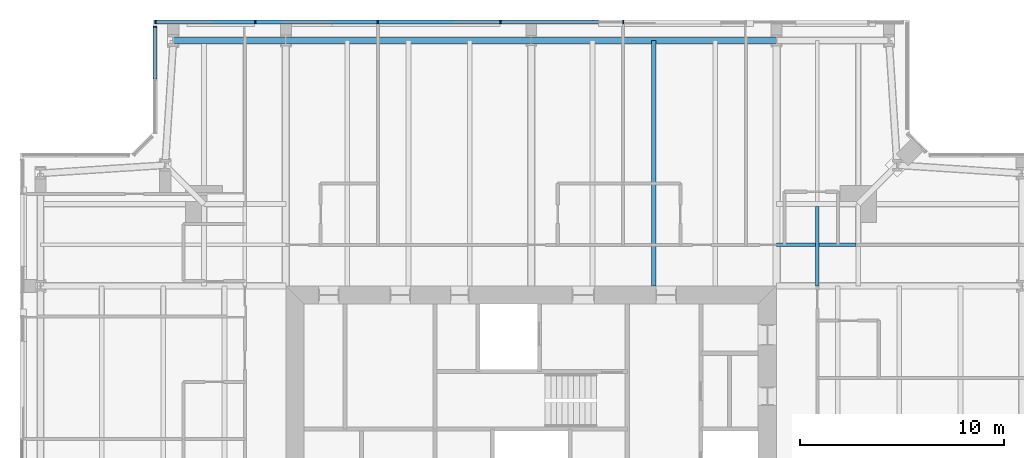
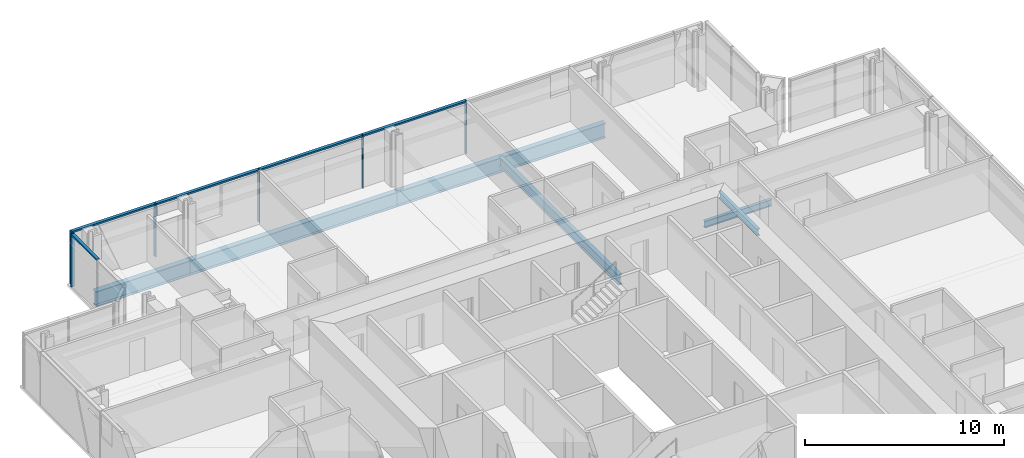
# One storey, part 8 of 19: 11 members, 7 beams, 2 elements without a shape of their own.
"""IFC4 building model written with IfcOpenShell, lengths in metres."""

from ifc_helpers import new_model, si_unit, direction, frame, origin, origin_2d, place, context, subcontext, project, spatial, rectangle, i_section, extrude, material, material_profile, profile_set, type_object, element, aggregate, save


model = new_model("IFC4")

# Units and contexts
model_context = context("Model", 3, precision=1e-05, world=origin(), true_north=direction((0.0, 1.0)))
body_context = subcontext(model_context, "Body", "Model", "MODEL_VIEW")
ifc_project = project(units=[si_unit("LENGTHUNIT", "METRE"), si_unit("AREAUNIT", "SQUARE_METRE"), si_unit("VOLUMEUNIT", "CUBIC_METRE"), si_unit("PLANEANGLEUNIT", "RADIAN"), si_unit("MASSUNIT", "GRAM", prefix="KILO")], contexts=[model_context])

# Site, building, storey
site_placement = place(None, origin())
site = spatial("IfcSite", under=ifc_project, at=site_placement, CompositionType="ELEMENT")
building_placement = place(site_placement, origin())
building = spatial("IfcBuilding", under=site, at=building_placement, Name="Fenwick Lantern Interchange", CompositionType="ELEMENT")
storey_placement = place(building_placement, frame((0.0, 0.0, 273.0)))
storey = spatial("IfcBuildingStorey", under=building, at=storey_placement, Name="L65", CompositionType="ELEMENT", Elevation=273.0)

# Beams
ifc_material_1 = material(Name="Steel ASTM A992 Grade 50", Category="steel")
ifc_material_profile_1 = material_profile(ifc_material_1, i_section(OverallWidth=0.3046875, OverallDepth=0.911865234375, WebThickness=0.015869140625, FlangeThickness=0.02392578125, at=origin_2d()), Name="W36X150")
ifc_profile_set_1 = profile_set([ifc_material_profile_1], Name="Steel ASTM A992 Grade 50")
beam_type_1 = type_object("IfcBeamType", Name="EDGE BEAM W36X150", PredefinedType="SPANDREL", material=ifc_profile_set_1)
for number, where, z_axis, x_axis, name in (
    (1, (37.0, 49.0, -0.60595703125), (-1.0, 0.0, 0.0), (0.0, -1.0, 0.0), "L65/FR/N/EB2"),
    (2, (25.0, 49.0, -0.60595703125), (-1.0, 0.0, 0.0), (0.0, -1.0, 0.0), "L65/FR/N/EB3"),
):
    element("IfcBeam", number, at=place(storey_placement, frame(where, z_axis=z_axis, x_axis=x_axis)), inside=storey, type_object=beam_type_1, Name=name, PredefinedType="SPANDREL", context=body_context, shape_type="SweptSolid", body=[
        extrude(i_section(OverallWidth=0.3046875, OverallDepth=0.911865234375, WebThickness=0.015869140625, FlangeThickness=0.02392578125, at=origin_2d()), origin(), (0.0, 0.0, 1.0), 12.0),
    ])
beam_1_placement = place(storey_placement, frame((13.0, 49.0, -0.60595703125), z_axis=(-1.0, 0.0, 0.0), x_axis=(0.0, -1.0, 0.0)))
element("IfcBeam", 3, at=beam_1_placement, inside=storey, type_object=beam_type_1, Name="L65/FR/N/EB4", PredefinedType="SPANDREL", context=body_context, shape_type="SweptSolid", body=[
    extrude(i_section(OverallWidth=0.3046875, OverallDepth=0.911865234375, WebThickness=0.015869140625, FlangeThickness=0.02392578125, at=origin_2d()), origin(), (0.0, 0.0, 1.0), 5.5),
])
ifc_material_profile_2 = material_profile(ifc_material_1, i_section(OverallWidth=0.22900390625, OverallDepth=0.612060546875, WebThickness=0.011962890625, FlangeThickness=0.01953125, at=origin_2d()), Name="W24X84")
ifc_profile_set_2 = profile_set([ifc_material_profile_2], Name="Steel ASTM A992 Grade 50")
beam_type_2 = type_object("IfcBeamType", Name="FLOOR BEAM W24X84", PredefinedType="BEAM", material=ifc_profile_set_2)
beam_2_placement = place(storey_placement, frame((31.0, 49.0, -0.4560546875), z_axis=(0.0, -1.0, 0.0), x_axis=(1.0, 0.0, 0.0)))
element("IfcBeam", 4, at=beam_2_placement, inside=storey, type_object=beam_type_2, Name="L65/FR/N/R03", PredefinedType="BEAM", context=body_context, shape_type="SweptSolid", body=[
    extrude(i_section(OverallWidth=0.22900390625, OverallDepth=0.612060546875, WebThickness=0.011962890625, FlangeThickness=0.01953125, at=origin_2d()), origin(), (0.0, 0.0, 1.0), 12.0),
])

# Curtain wall, members
ifc_material_2 = material(Name="Aluminium curtain wall frame", Category="aluminium")
curtain_wall_type = type_object("IfcCurtainWallType", Name="HOTEL CURTAIN WALL", PredefinedType="USERDEFINED", material=ifc_material_2)
curtain_wall_1_placement = place(storey_placement, origin())
curtain_wall_1 = element("IfcCurtainWall", 5, at=curtain_wall_1_placement, inside=storey, type_object=curtain_wall_type, Name="Hotel curtain wall 09", ObjectType="HOTEL CURTAIN WALL", PredefinedType="USERDEFINED")
ifc_material_3 = material(Name="Aluminium extrusion", Category="aluminium")
ifc_material_profile_3 = material_profile(ifc_material_3, rectangle(XDim=0.179931640625, YDim=0.06005859375, at=origin_2d()), Name="HOTEL CURTAIN WALL MULLION 60 X 180")
ifc_profile_set_3 = profile_set([ifc_material_profile_3], Name="Aluminium extrusion")
member_type_1 = type_object("IfcMemberType", Name="HOTEL CURTAIN WALL MULLION 60 X 180", PredefinedType="MULLION", material=ifc_profile_set_3)
member_1_placement = place(storey_placement, frame((29.5, 49.89990234375, 0.0), z_axis=(0.0, 0.0, 1.0), x_axis=(0.0, -1.0, 0.0)))
member_1 = element("IfcMember", 6, at=member_1_placement, type_object=member_type_1, Name="L65/CW/09/M03", PredefinedType="MULLION", context=body_context, shape_type="SweptSolid", body=[
    extrude(rectangle(XDim=0.179931640625, YDim=0.06005859375, at=origin_2d()), origin(), (0.0, 0.0, 1.0), 3.25),
])
member_2_placement = place(storey_placement, frame((23.5, 49.89990234375, 0.0), z_axis=(0.0, 0.0, 1.0), x_axis=(0.0, -1.0, 0.0)))
member_2 = element("IfcMember", 7, at=member_2_placement, type_object=member_type_1, Name="L65/CW/09/M04", PredefinedType="MULLION", context=body_context, shape_type="SweptSolid", body=[
    extrude(rectangle(XDim=0.179931640625, YDim=0.06005859375, at=origin_2d()), origin(), (0.0, 0.0, 1.0), 3.25),
])
member_3_placement = place(storey_placement, frame((17.5, 49.89990234375, 0.0), z_axis=(0.0, 0.0, 1.0), x_axis=(0.0, -1.0, 0.0)))
member_3 = element("IfcMember", 8, at=member_3_placement, type_object=member_type_1, Name="L65/CW/09/M05", PredefinedType="MULLION", context=body_context, shape_type="SweptSolid", body=[
    extrude(rectangle(XDim=0.179931640625, YDim=0.06005859375, at=origin_2d()), origin(), (0.0, 0.0, 1.0), 3.25),
])
member_4_placement = place(storey_placement, frame((11.5, 49.89990234375, 0.0), z_axis=(0.0, 0.0, 1.0), x_axis=(0.0, -1.0, 0.0)))
member_4 = element("IfcMember", 9, at=member_4_placement, type_object=member_type_1, Name="L65/CW/09/M06", PredefinedType="MULLION", context=body_context, shape_type="SweptSolid", body=[
    extrude(rectangle(XDim=0.179931640625, YDim=0.06005859375, at=origin_2d()), origin(), (0.0, 0.0, 1.0), 3.25),
])
member_5_placement = place(storey_placement, frame((6.6298828125, 49.89990234375, 0.0), z_axis=(0.0, 0.0, 1.0), x_axis=(0.0, -1.0, 0.0)))
member_5 = element("IfcMember", 10, at=member_5_placement, type_object=member_type_1, Name="L65/CW/09/M07", PredefinedType="MULLION", context=body_context, shape_type="SweptSolid", body=[
    extrude(rectangle(XDim=0.179931640625, YDim=0.06005859375, at=origin_2d()), origin(), (0.0, 0.0, 1.0), 3.25),
])

# Curtain wall, member
curtain_wall_2_placement = place(storey_placement, origin())
curtain_wall_2 = element("IfcCurtainWall", 11, at=curtain_wall_2_placement, inside=storey, type_object=curtain_wall_type, Name="Hotel curtain wall 10", ObjectType="HOTEL CURTAIN WALL", PredefinedType="USERDEFINED")
member_6_placement = place(storey_placement, frame((6.60009765625, 49.669921875, 0.0), z_axis=(0.0, 0.0, 1.0), x_axis=(1.0, 0.0, 0.0)))
member_6 = element("IfcMember", 12, at=member_6_placement, type_object=member_type_1, Name="L65/CW/10/M00", PredefinedType="MULLION", context=body_context, shape_type="SweptSolid", body=[
    extrude(rectangle(XDim=0.179931640625, YDim=0.06005859375, at=origin_2d()), origin(), (0.0, 0.0, 1.0), 3.25),
])

# Member
ifc_material_profile_4 = material_profile(ifc_material_3, rectangle(XDim=0.179931640625, YDim=0.10009765625, at=origin_2d()), Name="HOTEL CURTAIN WALL TRANSOM 100 X 180")
ifc_profile_set_4 = profile_set([ifc_material_profile_4], Name="Aluminium extrusion")
member_type_2 = type_object("IfcMemberType", Name="HOTEL CURTAIN WALL TRANSOM 100 X 180", PredefinedType="MULLION", material=ifc_profile_set_4)
member_7_placement = place(storey_placement, frame((29.469970703125, 49.89990234375, 3.199951171875), z_axis=(-1.0, 0.0, 0.0), x_axis=(0.0, -1.0, 0.0)))
member_7 = element("IfcMember", 13, at=member_7_placement, type_object=member_type_2, Name="L65/CW/09/T03", PredefinedType="MULLION", context=body_context, shape_type="SweptSolid", body=[
    extrude(rectangle(XDim=0.179931640625, YDim=0.10009765625, at=origin_2d()), origin(), (0.0, 0.0, 1.0), 5.93994140625),
])

member_8_placement = place(storey_placement, frame((23.469970703125, 49.89990234375, 3.199951171875), z_axis=(-1.0, 0.0, 0.0), x_axis=(0.0, -1.0, 0.0)))
member_8 = element("IfcMember", 14, at=member_8_placement, type_object=member_type_2, Name="L65/CW/09/T04", PredefinedType="MULLION", context=body_context, shape_type="SweptSolid", body=[
    extrude(rectangle(XDim=0.179931640625, YDim=0.10009765625, at=origin_2d()), origin(), (0.0, 0.0, 1.0), 5.93994140625),
])

member_9_placement = place(storey_placement, frame((17.469970703125, 49.89990234375, 3.199951171875), z_axis=(-1.0, 0.0, 0.0), x_axis=(0.0, -1.0, 0.0)))
member_9 = element("IfcMember", 15, at=member_9_placement, type_object=member_type_2, Name="L65/CW/09/T05", PredefinedType="MULLION", context=body_context, shape_type="SweptSolid", body=[
    extrude(rectangle(XDim=0.179931640625, YDim=0.10009765625, at=origin_2d()), origin(), (0.0, 0.0, 1.0), 5.93994140625),
])

member_10_placement = place(storey_placement, frame((11.469970703125, 49.89990234375, 3.199951171875), z_axis=(-1.0, 0.0, 0.0), x_axis=(0.0, -1.0, 0.0)))
member_10 = element("IfcMember", 16, at=member_10_placement, type_object=member_type_2, Name="L65/CW/09/T06", PredefinedType="MULLION", context=body_context, shape_type="SweptSolid", body=[
    extrude(rectangle(XDim=0.179931640625, YDim=0.10009765625, at=origin_2d()), origin(), (0.0, 0.0, 1.0), 4.81005859375),
])

aggregate(curtain_wall_1, [member_1, member_2, member_3, member_4, member_5, member_7, member_8, member_9, member_10])

member_11_placement = place(storey_placement, frame((6.60009765625, 49.639892578125, 3.199951171875), z_axis=(0.0, -1.0, 0.0), x_axis=(1.0, 0.0, 0.0)))
member_11 = element("IfcMember", 17, at=member_11_placement, type_object=member_type_2, Name="L65/CW/10/T00", PredefinedType="MULLION", context=body_context, shape_type="SweptSolid", body=[
    extrude(rectangle(XDim=0.179931640625, YDim=0.10009765625, at=origin_2d()), origin(), (0.0, 0.0, 1.0), 2.530517578125),
])

aggregate(curtain_wall_2, [member_6, member_11])

# Beams
ifc_material_profile_5 = material_profile(ifc_material_1, i_section(OverallWidth=0.177734375, OverallDepth=0.406494140625, WebThickness=0.0078125, FlangeThickness=0.012939453125, at=origin_2d()), Name="W16X40")
ifc_profile_set_5 = profile_set([ifc_material_profile_5], Name="Steel ASTM A992 Grade 50")
beam_type_3 = type_object("IfcBeamType", Name="INFILL BEAM W16X40", PredefinedType="JOIST", material=ifc_profile_set_5)
beam_3_placement = place(storey_placement, frame((39.0, 40.885498046875, -0.353271484375), z_axis=(0.0, -1.0, 0.0), x_axis=(1.0, 0.0, 0.0)))
element("IfcBeam", 18, at=beam_3_placement, inside=storey, type_object=beam_type_3, Name="L65/FR/N/J2", PredefinedType="JOIST", context=body_context, shape_type="SweptSolid", body=[
    extrude(i_section(OverallWidth=0.177734375, OverallDepth=0.406494140625, WebThickness=0.0078125, FlangeThickness=0.012939453125, at=origin_2d()), origin(), (0.0, 0.0, 1.0), 3.885498046875),
])
beam_4_placement = place(storey_placement, frame((40.885498046875, 39.0, -0.353271484375), z_axis=(-1.0, 0.0, 0.0), x_axis=(0.0, -1.0, 0.0)))
element("IfcBeam", 19, at=beam_4_placement, inside=storey, type_object=beam_type_3, Name="L65/FR/N/J4", PredefinedType="JOIST", context=body_context, shape_type="SweptSolid", body=[
    extrude(i_section(OverallWidth=0.177734375, OverallDepth=0.406494140625, WebThickness=0.0078125, FlangeThickness=0.012939453125, at=origin_2d()), origin(), (0.0, 0.0, 1.0), 1.796630859375),
])
beam_5_placement = place(storey_placement, frame((38.9111328125, 39.0, -0.353271484375), z_axis=(-1.0, 0.0, 0.0), x_axis=(0.0, -1.0, 0.0)))
element("IfcBeam", 20, at=beam_5_placement, inside=storey, type_object=beam_type_3, Name="L65/FR/N/J5", PredefinedType="JOIST", context=body_context, shape_type="SweptSolid", body=[
    extrude(i_section(OverallWidth=0.177734375, OverallDepth=0.406494140625, WebThickness=0.0078125, FlangeThickness=0.012939453125, at=origin_2d()), origin(), (0.0, 0.0, 1.0), 1.9111328125),
])

save(model, "model.ifc")
